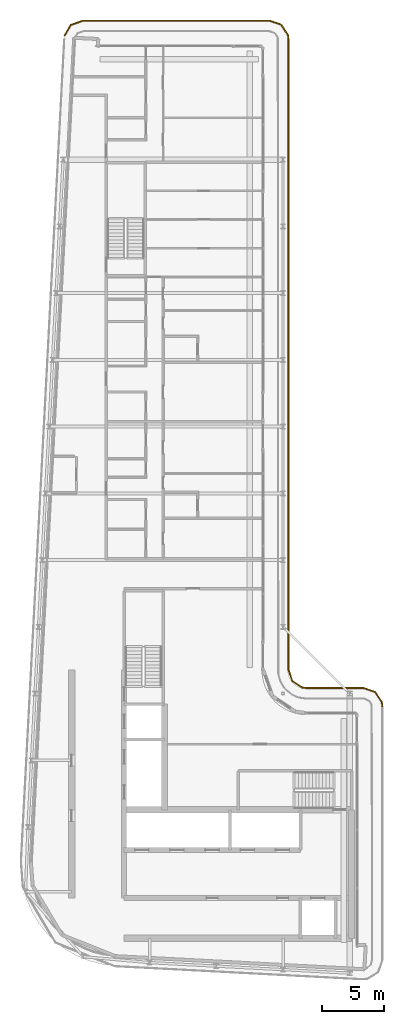
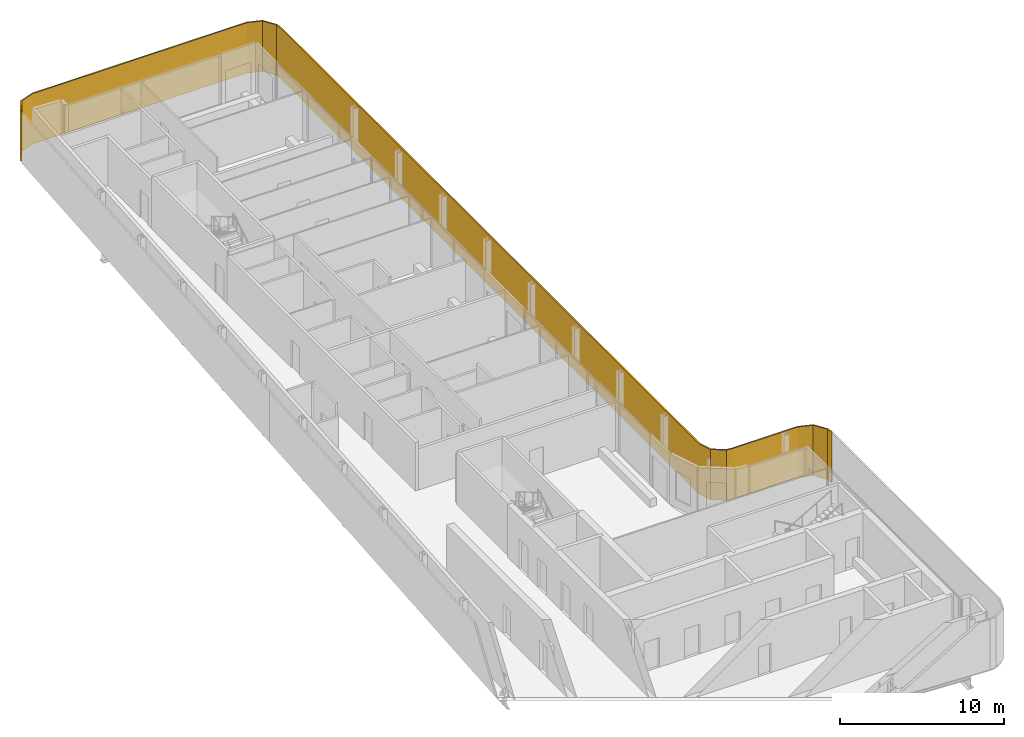
# One storey, part 17 of 18: 1 shading device.
"""IFC4 building model written with IfcOpenShell, lengths in metres."""

from ifc_helpers import new_model, si_unit, direction, frame, origin, place, context, subcontext, project, spatial, polyline, outline, extrude, material, layer, layer_set, type_object, element, save


model = new_model("IFC4")

# Units and contexts
model_context = context("Model", 3, precision=1e-05, world=origin(), true_north=direction((0.0, 1.0)))
body_context = subcontext(model_context, "Body", "Model", "MODEL_VIEW")
ifc_project = project(units=[si_unit("LENGTHUNIT", "METRE"), si_unit("AREAUNIT", "SQUARE_METRE"), si_unit("VOLUMEUNIT", "CUBIC_METRE"), si_unit("PLANEANGLEUNIT", "RADIAN"), si_unit("MASSUNIT", "GRAM", prefix="KILO")], contexts=[model_context])

# Site, building, storey
site_placement = place(None, origin())
site = spatial("IfcSite", under=ifc_project, at=site_placement, CompositionType="ELEMENT")
building_placement = place(site_placement, origin())
building = spatial("IfcBuilding", under=site, at=building_placement, Name="Kheshtan School and Residences Tower", CompositionType="ELEMENT")
storey_placement = place(building_placement, frame((0.0, 0.0, 369.5)))
storey = spatial("IfcBuildingStorey", under=building, at=storey_placement, Name="L87", CompositionType="ELEMENT", Elevation=369.5)

# Shading device
ifc_material = material(Name="Terracotta lattice, extruded ceramic", Category="masonry")
ifc_layer = layer(ifc_material, 0.10009765625)
ifc_layer_set = layer_set([ifc_layer], Name="Loggia screen, terracotta lattice")
shading_device_type = type_object("IfcShadingDeviceType", Name="Loggia screen, terracotta lattice", PredefinedType="USERDEFINED", material=ifc_layer_set)
shading_device_placement = place(storey_placement, origin())
element("IfcShadingDevice", 1, at=shading_device_placement, inside=storey, type_object=shading_device_type, Name="Screen L87 1", ObjectType="SCREEN", PredefinedType="USERDEFINED", context=body_context, shape_type="SweptSolid", body=[
    extrude(outline(polyline([(29.949951171875, 98.783935546875), (30.468017578125, 99.656982421875), (31.423095703125, 100.0), (46.5, 100.0), (47.4130859375, 99.68994140625), (47.948974609375, 98.887939453125), (48.0, 98.5), (48.0, 47.5), (48.31005859375, 46.5869140625), (49.112060546875, 46.051025390625), (49.5, 46.0), (54.10009765625, 46.0), (55.012939453125, 45.68994140625), (55.549072265625, 44.887939453125), (55.60009765625, 44.5), (55.698974609375, 44.512939453125), (55.64501953125, 44.924072265625), (55.076904296875, 45.77392578125), (54.116943359375, 46.10009765625), (49.507080078125, 46.10009765625), (49.14794921875, 46.14697265625), (48.39404296875, 46.65087890625), (48.10009765625, 47.51708984375), (48.10009765625, 98.507080078125), (48.044921875, 98.924072265625), (47.47705078125, 99.77392578125), (46.51708984375, 100.10009765625), (31.406005859375, 100.10009765625), (30.39990234375, 99.739013671875), (29.864013671875, 98.8349609375), (29.949951171875, 98.783935546875)])), origin(), (0.0, 0.0, 1.0), 3.75),
])

save(model, "model.ifc")
